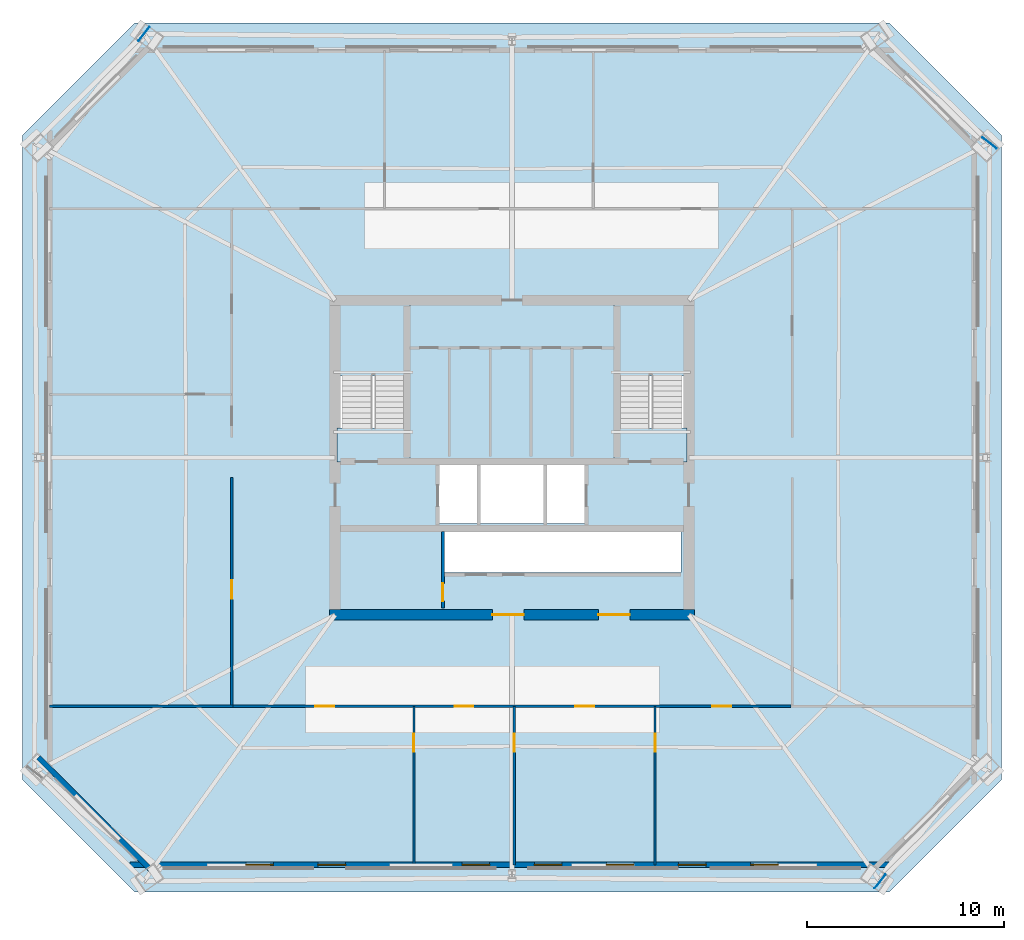
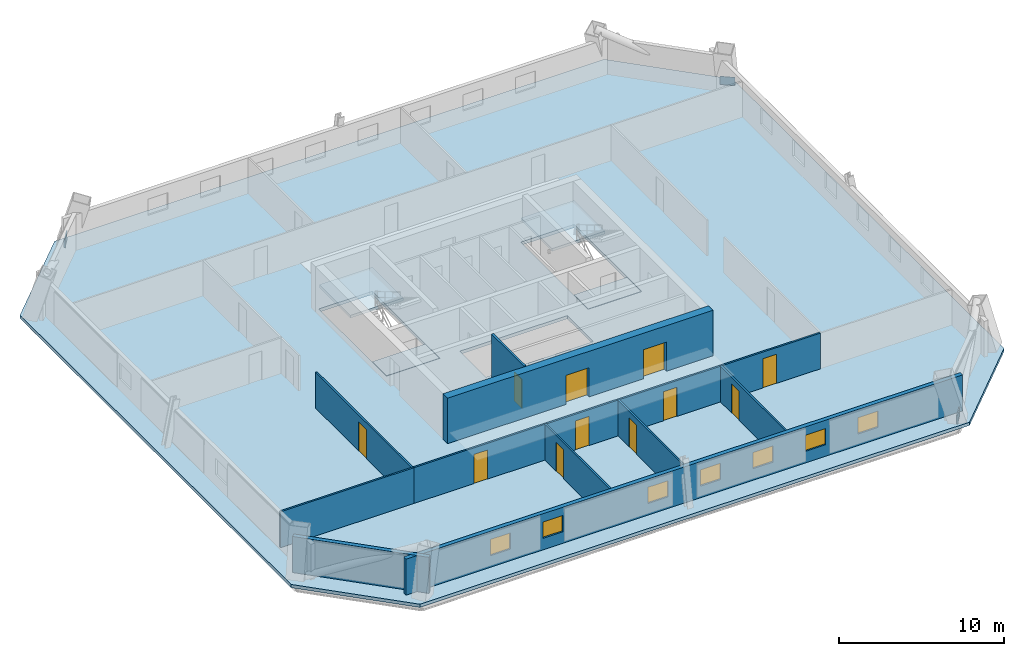
# One storey, part 2 of 7: 11 doors, 10 walls, 7 windows, 5 slabs, 3 plates, 18 openings, 2 elements without a shape of their own.
"""IFC4 building model written with IfcOpenShell, lengths in metres."""

import ifcopenshell
import ifcopenshell.guid

model = None  # the IFC model being written
_history = None  # IfcOwnerHistory: only IFC2X3 demands one
_inside = {}  # id of a spatial element -> (the spatial element, [elements in it])
_under = {}  # id of a project, library or spatial element -> (it, [spatial elements below it])
_declared = {}  # id of a project -> (the project, [libraries it declares])
_typed = {}  # id of a type object -> (the type object, [elements of that type])
_made_of = {}  # id of a material, layer set ... -> (it, [elements and type objects made of it])


def new_model(schema):
    """Start an empty IFC model of exactly this schema.

    Asked for "IFC4X3", IfcOpenShell would pick the latest addendum, in which some entities
    have other attributes; the version numbers below select the first issue.
    IFC2X3 requires an IfcOwnerHistory on every rooted entity: one is made here for all.
    """
    global model, _history
    if schema == "IFC4X3":
        model = ifcopenshell.file(schema_version=(4, 3, 0, 0))
    else:
        model = ifcopenshell.file(schema=schema)
    _inside.clear()
    _under.clear()
    _declared.clear()
    _typed.clear()
    _made_of.clear()
    _history = None
    if model.schema == "IFC2X3":
        org = make("IfcOrganization", Name="unknown")
        user = make(
            "IfcPersonAndOrganization",
            ThePerson=make("IfcPerson", FamilyName="unknown"),
            TheOrganization=org,
        )
        app = make(
            "IfcApplication",
            ApplicationDeveloper=org,
            Version="unknown",
            ApplicationFullName="unknown",
            ApplicationIdentifier="unknown",
        )
        _history = make(
            "IfcOwnerHistory",
            OwningUser=user,
            OwningApplication=app,
            ChangeAction="ADDED",
            CreationDate=0,
        )
    return model


def make(cls, **values):
    """One entity of the class cls with the attributes given. An attribute that is None is left unset."""
    return model.create_entity(
        cls, **{name: value for name, value in values.items() if value is not None}
    )


def rooted(cls, **values):
    """An entity with a GlobalId (a new one), such as an element, a storey or a relation."""
    return make(cls, GlobalId=ifcopenshell.guid.new(), OwnerHistory=_history, **values)


def si_unit(unit_type, name, prefix=None):
    """IfcSIUnit, for example si_unit("LENGTHUNIT", "METRE", prefix="MILLI")."""
    return make("IfcSIUnit", UnitType=unit_type, Prefix=prefix, Name=name)


def assignment(units):
    """IfcUnitAssignment: the units of a project."""
    return None if units is None else make("IfcUnitAssignment", Units=units)


def point(xyz):
    """IfcCartesianPoint."""
    return None if xyz is None else make("IfcCartesianPoint", Coordinates=xyz)


def direction(xyz):
    """IfcDirection."""
    return None if xyz is None else make("IfcDirection", DirectionRatios=xyz)


def frame(location, z_axis=None, x_axis=None):
    """IfcAxis2Placement3D, a coordinate frame: its origin and axes. An axis left out is left unset."""
    return make(
        "IfcAxis2Placement3D",
        Location=point(location),
        Axis=direction(z_axis),
        RefDirection=direction(x_axis),
    )


def frame_2d(location, x_axis=None):
    """IfcAxis2Placement2D, a coordinate frame in the plane: its origin and x axis."""
    return make(
        "IfcAxis2Placement2D", Location=point(location), RefDirection=direction(x_axis)
    )


def origin():
    """The frame at (0, 0, 0) with its axes left unset."""
    return frame((0.0, 0.0, 0.0))


def origin_2d():
    """The frame at (0, 0) in the plane with its x axis left unset."""
    return frame_2d((0.0, 0.0))


def place(relative_to, where):
    """IfcLocalPlacement: puts the frame where relative to a parent placement (None: the world)."""
    return make(
        "IfcLocalPlacement", PlacementRelTo=relative_to, RelativePlacement=where
    )


def context(
    kind, dimensions, precision=None, world=None, true_north=None, identifier=None
):
    """IfcGeometricRepresentationContext, for example the 3D "Model" context."""
    return make(
        "IfcGeometricRepresentationContext",
        ContextIdentifier=identifier,
        ContextType=kind,
        CoordinateSpaceDimension=dimensions,
        Precision=precision,
        WorldCoordinateSystem=world,
        TrueNorth=true_north,
    )


def subcontext(parent, identifier, kind, view, scale=None):
    """IfcGeometricRepresentationSubContext, for example "Body" below "Model"."""
    return make(
        "IfcGeometricRepresentationSubContext",
        ContextIdentifier=identifier,
        ContextType=kind,
        ParentContext=parent,
        TargetScale=scale,
        TargetView=view,
    )


def project(units=None, contexts=None):
    """IfcProject with its units and contexts."""
    return rooted(
        "IfcProject",
        Name="project",
        RepresentationContexts=contexts,
        UnitsInContext=assignment(units),
    )


def spatial(cls, under=None, at=None, **own):
    """A site, building, storey or space (cls), placed at a placement, below another one or the project."""
    s = rooted(cls, ObjectPlacement=at, **own)
    if under is not None:
        _under.setdefault(under.id(), (under, []))[1].append(s)
    return s


def polyline(points):
    """IfcPolyline through the points."""
    return make("IfcPolyline", Points=[point(p) for p in points])


def profile(cls, at=None, kind="AREA", **sizes):
    """A parametric profile (cls). Its sizes go by their IFC names, for example OverallWidth=200.0."""
    return make(cls, ProfileType=kind, Position=at, **sizes)


def rectangle(**sizes):
    """IfcRectangleProfileDef."""
    return profile("IfcRectangleProfileDef", **sizes)


def outline(outer, holes=None, kind="AREA"):
    """IfcArbitraryClosedProfileDef: a profile drawn as a closed curve; with holes, ...WithVoids."""
    if holes is None:
        return make("IfcArbitraryClosedProfileDef", ProfileType=kind, OuterCurve=outer)
    return make(
        "IfcArbitraryProfileDefWithVoids",
        ProfileType=kind,
        OuterCurve=outer,
        InnerCurves=holes,
    )


def extrude(swept, where, along, depth):
    """IfcExtrudedAreaSolid: the profile swept, set in the frame where, extruded along a direction by depth."""
    return make(
        "IfcExtrudedAreaSolid",
        SweptArea=swept,
        Position=where,
        ExtrudedDirection=direction(along),
        Depth=depth,
    )


def shape(context_of_items, identifier, shape_type, items):
    """IfcShapeRepresentation: the items that make up one representation, for example the "Body"."""
    return make(
        "IfcShapeRepresentation",
        ContextOfItems=context_of_items,
        RepresentationIdentifier=identifier,
        RepresentationType=shape_type,
        Items=items,
    )


def material(Name=None, Category=None):
    """IfcMaterial."""
    return make("IfcMaterial", Name=Name, Category=Category)


def layer(
    of_material, thickness, ventilated=None, Name=None, Category=None, Priority=None
):
    """IfcMaterialLayer: one layer of a wall or slab, of a material (None: an air gap)."""
    return make(
        "IfcMaterialLayer",
        Material=of_material,
        LayerThickness=thickness,
        IsVentilated=ventilated,
        Name=Name,
        Category=Category,
        Priority=Priority,
    )


def layer_set(layers, Name=None):
    """IfcMaterialLayerSet."""
    return make("IfcMaterialLayerSet", MaterialLayers=layers, LayerSetName=Name)


def made_of(thing, what):
    """Note that an element or type object is made of a material, layer set ...; save() writes the relation."""
    if what is not None:
        _made_of.setdefault(what.id(), (what, []))[1].append(thing)
    return thing


def type_object(cls, material=None, **own):
    """A type object (cls), such as IfcWallType, which elements share."""
    return made_of(rooted(cls, **own), material)


def element(
    cls,
    number,
    at=None,
    inside=None,
    cuts=None,
    type_object=None,
    material=None,
    context=None,
    identifier="Body",
    shape_type=None,
    held_by="IfcProductDefinitionShape",
    body=None,
    shapes=None,
    **own,
):
    """One element of the class cls, such as IfcWall. Its Tag is "e" and its number.

    at: its placement. inside: the storey or other place that contains it. cuts: it is an
    opening in that element (IfcRelVoidsElement). A single representation is given by context,
    identifier, shape_type and body (its items); several are given by shapes. held_by: the class
    of the entity that holds the representations. save() writes the other relations.
    """
    e = rooted(cls, Tag="e%d" % number, ObjectPlacement=at, **own)
    if body is not None:
        shapes = [shape(context, identifier, shape_type, body)]
    if shapes is not None:
        e.Representation = make(held_by, Representations=shapes)
    if inside is not None:
        _inside.setdefault(inside.id(), (inside, []))[1].append(e)
    if cuts is not None:
        rooted(
            "IfcRelVoidsElement", RelatingBuildingElement=cuts, RelatedOpeningElement=e
        )
    if type_object is not None:
        _typed.setdefault(type_object.id(), (type_object, []))[1].append(e)
    return made_of(e, material)


def fill(opening, filler):
    """IfcRelFillsElement: the door or window that sits in an opening."""
    return rooted(
        "IfcRelFillsElement",
        RelatingOpeningElement=opening,
        RelatedBuildingElement=filler,
    )


def aggregate(whole, parts):
    """IfcRelAggregates: a whole, such as a stair, and the parts it consists of."""
    return rooted("IfcRelAggregates", RelatingObject=whole, RelatedObjects=parts)


def save(model, path):
    """Write the relations noted so far, then the file.

    IfcRelAggregates (storeys below a building ...), IfcRelContainedInSpatialStructure (elements
    in a storey), IfcRelDefinesByType, IfcRelAssociatesMaterial and IfcRelDeclares: one each for
    every whole, place, type object, material and project.
    """
    for whole, parts in _under.values():
        aggregate(whole, parts)
    for where, things in _inside.values():
        rooted(
            "IfcRelContainedInSpatialStructure",
            RelatedElements=things,
            RelatingStructure=where,
        )
    for kind, things in _typed.values():
        rooted("IfcRelDefinesByType", RelatedObjects=things, RelatingType=kind)
    for what, things in _made_of.values():
        rooted("IfcRelAssociatesMaterial", RelatedObjects=things, RelatingMaterial=what)
    for by, libraries in _declared.values():
        rooted("IfcRelDeclares", RelatingContext=by, RelatedDefinitions=libraries)
    model.write(path)


model = new_model("IFC4")

# Units and contexts
model_context = context("Model", 3, precision=1e-05, world=origin(), true_north=direction((0.0, 1.0)))
body_context = subcontext(model_context, "Body", "Model", "MODEL_VIEW")
ifc_project = project(units=[si_unit("LENGTHUNIT", "METRE"), si_unit("AREAUNIT", "SQUARE_METRE"), si_unit("VOLUMEUNIT", "CUBIC_METRE"), si_unit("PLANEANGLEUNIT", "RADIAN"), si_unit("MASSUNIT", "GRAM", prefix="KILO")], contexts=[model_context])

# Site, building, storey
site_placement = place(None, origin())
site = spatial("IfcSite", under=ifc_project, at=site_placement, CompositionType="ELEMENT")
building_placement = place(site_placement, origin())
building = spatial("IfcBuilding", under=site, at=building_placement, Name="Caelvoria Tower", CompositionType="ELEMENT")
storey_placement = place(building_placement, frame((0.0, 0.0, 102.39990234375)))
storey = spatial("IfcBuildingStorey", under=building, at=storey_placement, Name="L26", CompositionType="ELEMENT", Elevation=102.39990234375)

# Plates
ifc_material_1 = material(Name="Structural Steel ASTM A572 Gr.50", Category="steel")
ifc_layer_1 = layer(ifc_material_1, 0.0400390625, Name="Structural Steel ASTM A572 Gr.50")
ifc_layer_set_1 = layer_set([ifc_layer_1], Name="Megaframe Node Gusset Plate 900x600x40 - Structural Steel ASTM A572 Gr.50")
plate_type = type_object("IfcPlateType", Name="Megaframe Node Gusset Plate 900x600x40", PredefinedType="USERDEFINED", material=ifc_layer_set_1)
for number, where, z_axis, x_axis, name in (
    (1, (64.727783203125, 10.443603515625, 0.02001953125), (0.0, 0.0, 1.0), (0.618507144164, 0.78577917548, 0.0), "Chamfer Mega Brace Gusset L26 SE"),
    (2, (70.298583984375, 48.00390625, 0.02001953125), (0.0, 0.0, 1.0), (-0.786535315704, 0.617545299675, 0.0), "Chamfer Mega Brace Gusset L26 NE"),
    (3, (27.272216796875, 53.556396484375, 0.02001953125), (0.0, 0.0, 1.0), (-0.618507144164, -0.78577917548, 0.0), "Chamfer Mega Brace Gusset L26 NW"),
):
    element("IfcPlate", number, at=place(storey_placement, frame(where, z_axis=z_axis, x_axis=x_axis)), inside=storey, type_object=plate_type, Name=name, ObjectType="GUSSET_PLATE", PredefinedType="USERDEFINED", context=body_context, shape_type="SweptSolid", body=[
        extrude(rectangle(XDim=0.89990234375, YDim=0.0400390625, at=origin_2d()), origin(), (0.0, 0.0, 1.0), 0.60009765625),
    ])

# Stair, slabs
ifc_material_2 = material(Name="Concrete C40/50", Category="concrete")
stair_type = type_object("IfcStairType", Name="Core Smokeproof Dogleg Stair Concrete C40/50", PredefinedType="HALF_TURN_STAIR", material=ifc_material_2)
stair_1_placement = place(storey_placement, origin())
stair_1 = element("IfcStair", 4, at=stair_1_placement, inside=storey, type_object=stair_type, Name="ST-01 Smokeproof Exit Stair L26", PredefinedType="HALF_TURN_STAIR")
ifc_layer_2 = layer(ifc_material_2, 0.199951171875, Name="Concrete C40/50")
ifc_layer_set_2 = layer_set([ifc_layer_2], Name="Stair Half and Floor Landing Slab 200 Concrete C40/50 - Concrete C40/50")
slab_type_1 = type_object("IfcSlabType", Name="Stair Half and Floor Landing Slab 200 Concrete C40/50", PredefinedType="LANDING", material=ifc_layer_set_2)
slab_1_placement = place(storey_placement, frame((0.0, 0.0, -0.199951171875)))
slab_1 = element("IfcSlab", 5, at=slab_1_placement, type_object=slab_type_1, Name="ST-01 landing 1", PredefinedType="LANDING", context=body_context, shape_type="SweptSolid", body=[
    extrude(outline(polyline([(37.10009765625, 31.77001953125), (40.800048828125, 31.77001953125), (40.800048828125, 33.5), (37.10009765625, 33.5), (37.10009765625, 31.77001953125)])), origin(), (0.0, 0.0, 1.0), 0.199951171875),
])
slab_2_placement = place(storey_placement, frame((0.0, 0.0, 1.60009765625)))
slab_2 = element("IfcSlab", 6, at=slab_2_placement, type_object=slab_type_1, Name="ST-01 landing 2", PredefinedType="LANDING", context=body_context, shape_type="SweptSolid", body=[
    extrude(outline(polyline([(37.10009765625, 36.14990234375), (40.800048828125, 36.14990234375), (40.800048828125, 39.89990234375), (37.10009765625, 39.89990234375), (37.10009765625, 36.14990234375)])), origin(), (0.0, 0.0, 1.0), 0.199951171875),
])
aggregate(stair_1, [slab_1, slab_2])

stair_2_placement = place(storey_placement, origin())
stair_2 = element("IfcStair", 7, at=stair_2_placement, inside=storey, type_object=stair_type, Name="ST-02 Smokeproof Exit Stair L26", PredefinedType="HALF_TURN_STAIR")
slab_3_placement = place(storey_placement, frame((0.0, 0.0, -0.199951171875)))
slab_3 = element("IfcSlab", 8, at=slab_3_placement, type_object=slab_type_1, Name="ST-02 landing 1", PredefinedType="LANDING", context=body_context, shape_type="SweptSolid", body=[
    extrude(outline(polyline([(51.199951171875, 31.77001953125), (54.89990234375, 31.77001953125), (54.89990234375, 33.5), (51.199951171875, 33.5), (51.199951171875, 31.77001953125)])), origin(), (0.0, 0.0, 1.0), 0.199951171875),
])
slab_4_placement = place(storey_placement, frame((0.0, 0.0, 1.60009765625)))
slab_4 = element("IfcSlab", 9, at=slab_4_placement, type_object=slab_type_1, Name="ST-02 landing 2", PredefinedType="LANDING", context=body_context, shape_type="SweptSolid", body=[
    extrude(outline(polyline([(51.199951171875, 36.14990234375), (54.89990234375, 36.14990234375), (54.89990234375, 39.89990234375), (51.199951171875, 39.89990234375), (51.199951171875, 36.14990234375)])), origin(), (0.0, 0.0, 1.0), 0.199951171875),
])
aggregate(stair_2, [slab_3, slab_4])

# Slab
ifc_layer_3 = layer(ifc_material_2, 0.239990234375, Name="Concrete C40/50")
ifc_layer_set_3 = layer_set([ifc_layer_3], Name="Tower Composite Office Slab 240 - Concrete C40/50")
slab_type_2 = type_object("IfcSlabType", Name="Tower Composite Office Slab 240", PredefinedType="FLOOR", material=ifc_layer_set_3)
slab_5_placement = place(storey_placement, frame((0.0, 0.0, -0.239990234375)))
element("IfcSlab", 10, at=slab_5_placement, inside=storey, type_object=slab_type_2, Name="Level L26 Structural Floor Slab", PredefinedType="FLOOR", context=body_context, shape_type="SweptSolid", body=[
    extrude(outline(polyline([(26.800048828125, 9.89990234375), (65.199951171875, 9.89990234375), (70.89990234375, 15.60009765625), (70.89990234375, 48.39990234375), (65.199951171875, 54.10009765625), (26.800048828125, 54.10009765625), (21.10009765625, 48.39990234375), (21.10009765625, 15.60009765625), (26.800048828125, 9.89990234375)]), holes=[polyline([(37.080078125, 31.75), (40.820068359375, 31.75), (40.820068359375, 39.919921875), (37.080078125, 39.919921875), (37.080078125, 31.75)]), polyline([(51.179931640625, 31.75), (54.919921875, 31.75), (54.919921875, 39.919921875), (51.179931640625, 39.919921875), (51.179931640625, 31.75)]), polyline([(42.25, 28.64990234375), (49.75, 28.64990234375), (49.75, 31.800048828125), (42.25, 31.800048828125), (42.25, 28.64990234375)]), polyline([(42.550048828125, 26.14990234375), (54.60009765625, 26.14990234375), (54.60009765625, 28.25), (42.550048828125, 28.25), (42.550048828125, 26.14990234375)])]), origin(), (0.0, 0.0, 1.0), 0.239990234375),
])

# Wall, opening, door
ifc_material_3 = material(Name="Double Gypsum Board on Steel Stud", Category="steel")
ifc_layer_4 = layer(ifc_material_3, 0.14990234375, Name="Double Gypsum Board on Steel Stud")
ifc_layer_set_4 = layer_set([ifc_layer_4], Name="Core Service Acoustic Partition Wall 150 - Double Gypsum Board on Steel Stud")
wall_type_1 = type_object("IfcWallType", Name="Core Service Acoustic Partition Wall 150", PredefinedType="PARTITIONING", material=ifc_layer_set_4)
wall_1_placement = place(storey_placement, frame((42.47998046875, 24.35009765625, 0.0), z_axis=(0.0, 0.0, 1.0), x_axis=(0.0, 1.0, 0.0)))
wall_1 = element("IfcWall", 11, at=wall_1_placement, inside=storey, type_object=wall_type_1, Name="Interior Partition IW-L26-RECL1E", PredefinedType="PARTITIONING", context=body_context, shape_type="SweptSolid", body=[
    extrude(rectangle(XDim=3.89990234375, YDim=0.14990234375, at=frame_2d((1.949951171875, 0.0))), origin(), (0.0, 0.0, 1.0), 3.360107421875),
])
opening_1_placement = place(wall_1_placement, frame((0.35009765625, 0.0, 0.0)))
opening_1 = element("IfcOpeningElement", 12, at=opening_1_placement, cuts=wall_1, Name="Opening ID-04", PredefinedType="OPENING", context=body_context, shape_type="SweptSolid", body=[
    extrude(rectangle(XDim=0.89990234375, YDim=2.14990234375, at=frame_2d((0.449951171875, 1.074951171875))), frame((0.0, 0.0849609375, 0.0), z_axis=(0.0, -1.0, 0.0), x_axis=(1.0, 0.0, 0.0)), (0.0, 0.0, 1.0), 0.169921875),
])
ifc_material_4 = material(Name="Acoustic Timber Fire Door", Category="wood")
door_type_1 = type_object("IfcDoorType", Name="Fire Door FD30S 900x2150", OperationType="NOTDEFINED", PredefinedType="DOOR", material=ifc_material_4)
door_1_placement = place(opening_1_placement, origin())
door_1 = element("IfcDoor", 13, at=door_1_placement, inside=storey, type_object=door_type_1, Name="Interior Door DR-L26-RECL1", OperationType="SINGLE_SWING_LEFT", OverallHeight=2.14990234375, OverallWidth=0.89990234375, PredefinedType="DOOR", context=body_context, shape_type="SweptSolid", body=[
    extrude(rectangle(XDim=0.89990234375, YDim=2.14990234375, at=frame_2d((0.449951171875, 1.074951171875))), frame((0.0, 0.02490234375, 0.0), z_axis=(0.0, -1.0, 0.0), x_axis=(1.0, 0.0, 0.0)), (0.0, 0.0, 1.0), 0.050048828125),
])
fill(opening_1, door_1)

# Wall, openings, windows
ifc_material_5 = material(Name="Precast Concrete C40/50 with Bronze Cladding", Category="concrete")
ifc_layer_5 = layer(ifc_material_5, 0.280029296875, Name="Precast Concrete C40/50 with Bronze Cladding")
ifc_layer_set_5 = layer_set([ifc_layer_5], Name="Exterior Precast Concrete C40/50 Bronze-Clad Facade Wall 280 - Precast Concrete C40/50 with Bronze Cladding")
wall_type_2 = type_object("IfcWallType", Name="Exterior Precast Concrete C40/50 Bronze-Clad Facade Wall 280", PredefinedType="STANDARD", material=ifc_layer_set_5)
wall_2_placement = place(storey_placement, frame((26.56005859375, 11.280029296875, 0.0), z_axis=(0.0, 0.0, 1.0), x_axis=(1.0, 0.0, 0.0)))
wall_2 = element("IfcWall", 14, at=wall_2_placement, inside=storey, type_object=wall_type_2, Name="Exterior Facade Wall L26-E0", PredefinedType="STANDARD", context=body_context, shape_type="SweptSolid", body=[
    extrude(rectangle(XDim=38.8798828125, YDim=0.280029296875, at=frame_2d((19.43994140625, 0.0))), origin(), (0.0, 0.0, 1.0), 2.662109375),
])
opening_2_placement = place(wall_2_placement, frame((5.902099609375, 0.0, 0.85009765625)))
opening_2 = element("IfcOpeningElement", 15, at=opening_2_placement, cuts=wall_2, Name="Opening WN-06", PredefinedType="OPENING", context=body_context, shape_type="SweptSolid", body=[
    extrude(rectangle(XDim=1.39990234375, YDim=1.199951171875, at=frame_2d((0.699951171875, 0.60009765625))), frame((0.0, 0.14990234375, 0.0), z_axis=(0.0, -1.0, 0.0), x_axis=(1.0, 0.0, 0.0)), (0.0, 0.0, 1.0), 0.300048828125),
])
opening_3_placement = place(wall_2_placement, frame((9.570068359375, 0.0, 0.85009765625)))
opening_3 = element("IfcOpeningElement", 16, at=opening_3_placement, cuts=wall_2, Name="Opening WN-06", PredefinedType="OPENING", context=body_context, shape_type="SweptSolid", body=[
    extrude(rectangle(XDim=1.39990234375, YDim=1.199951171875, at=frame_2d((0.699951171875, 0.60009765625))), frame((0.0, 0.14990234375, 0.0), z_axis=(0.0, -1.0, 0.0), x_axis=(1.0, 0.0, 0.0)), (0.0, 0.0, 1.0), 0.300048828125),
])
opening_4_placement = place(wall_2_placement, frame((16.906005859375, 0.0, 0.85009765625)))
opening_4 = element("IfcOpeningElement", 17, at=opening_4_placement, cuts=wall_2, Name="Opening WN-06", PredefinedType="OPENING", context=body_context, shape_type="SweptSolid", body=[
    extrude(rectangle(XDim=1.39990234375, YDim=1.199951171875, at=frame_2d((0.699951171875, 0.60009765625))), frame((0.0, 0.14990234375, 0.0), z_axis=(0.0, -1.0, 0.0), x_axis=(1.0, 0.0, 0.0)), (0.0, 0.0, 1.0), 0.300048828125),
])
opening_5_placement = place(wall_2_placement, frame((20.573974609375, 0.0, 0.85009765625)))
opening_5 = element("IfcOpeningElement", 18, at=opening_5_placement, cuts=wall_2, Name="Opening WN-06", PredefinedType="OPENING", context=body_context, shape_type="SweptSolid", body=[
    extrude(rectangle(XDim=1.39990234375, YDim=1.199951171875, at=frame_2d((0.699951171875, 0.60009765625))), frame((0.0, 0.14990234375, 0.0), z_axis=(0.0, -1.0, 0.0), x_axis=(1.0, 0.0, 0.0)), (0.0, 0.0, 1.0), 0.300048828125),
])
opening_6_placement = place(wall_2_placement, frame((24.241943359375, 0.0, 0.85009765625)))
opening_6 = element("IfcOpeningElement", 19, at=opening_6_placement, cuts=wall_2, Name="Opening WN-06", PredefinedType="OPENING", context=body_context, shape_type="SweptSolid", body=[
    extrude(rectangle(XDim=1.39990234375, YDim=1.199951171875, at=frame_2d((0.699951171875, 0.60009765625))), frame((0.0, 0.14990234375, 0.0), z_axis=(0.0, -1.0, 0.0), x_axis=(1.0, 0.0, 0.0)), (0.0, 0.0, 1.0), 0.300048828125),
])
opening_7_placement = place(wall_2_placement, frame((27.909912109375, 0.0, 0.85009765625)))
opening_7 = element("IfcOpeningElement", 20, at=opening_7_placement, cuts=wall_2, Name="Opening WN-06", PredefinedType="OPENING", context=body_context, shape_type="SweptSolid", body=[
    extrude(rectangle(XDim=1.39990234375, YDim=1.199951171875, at=frame_2d((0.699951171875, 0.60009765625))), frame((0.0, 0.14990234375, 0.0), z_axis=(0.0, -1.0, 0.0), x_axis=(1.0, 0.0, 0.0)), (0.0, 0.0, 1.0), 0.300048828125),
])
opening_8_placement = place(wall_2_placement, frame((31.577880859375, 0.0, 0.85009765625)))
opening_8 = element("IfcOpeningElement", 21, at=opening_8_placement, cuts=wall_2, Name="Opening WN-06", PredefinedType="OPENING", context=body_context, shape_type="SweptSolid", body=[
    extrude(rectangle(XDim=1.39990234375, YDim=1.199951171875, at=frame_2d((0.699951171875, 0.60009765625))), frame((0.0, 0.14990234375, 0.0), z_axis=(0.0, -1.0, 0.0), x_axis=(1.0, 0.0, 0.0)), (0.0, 0.0, 1.0), 0.300048828125),
])
ifc_material_6 = material(Name="Low-E Tinted Glass in Bronze Aluminium Frame", Category="aluminium")
window_type = type_object("IfcWindowType", Name="Podium Clerestory Window 1400x1200", PartitioningType="SINGLE_PANEL", PredefinedType="WINDOW", material=ifc_material_6)
window_1_placement = place(opening_2_placement, origin())
window_1 = element("IfcWindow", 22, at=window_1_placement, inside=storey, type_object=window_type, Name="Facade Window L26-E0-01", OverallHeight=1.199951171875, OverallWidth=1.39990234375, PartitioningType="SINGLE_PANEL", PredefinedType="WINDOW", context=body_context, shape_type="SweptSolid", body=[
    extrude(rectangle(XDim=1.39990234375, YDim=1.199951171875, at=frame_2d((0.699951171875, 0.60009765625))), frame((0.0, 0.030029296875, 0.0), z_axis=(0.0, -1.0, 0.0), x_axis=(1.0, 0.0, 0.0)), (0.0, 0.0, 1.0), 0.06005859375),
])
fill(opening_2, window_1)
window_2_placement = place(opening_3_placement, origin())
window_2 = element("IfcWindow", 23, at=window_2_placement, inside=storey, type_object=window_type, Name="Facade Window L26-E0-02", OverallHeight=1.199951171875, OverallWidth=1.39990234375, PartitioningType="SINGLE_PANEL", PredefinedType="WINDOW", context=body_context, shape_type="SweptSolid", body=[
    extrude(rectangle(XDim=1.39990234375, YDim=1.199951171875, at=frame_2d((0.699951171875, 0.60009765625))), frame((0.0, 0.030029296875, 0.0), z_axis=(0.0, -1.0, 0.0), x_axis=(1.0, 0.0, 0.0)), (0.0, 0.0, 1.0), 0.06005859375),
])
fill(opening_3, window_2)
window_3_placement = place(opening_4_placement, origin())
window_3 = element("IfcWindow", 24, at=window_3_placement, inside=storey, type_object=window_type, Name="Facade Window L26-E0-04", OverallHeight=1.199951171875, OverallWidth=1.39990234375, PartitioningType="SINGLE_PANEL", PredefinedType="WINDOW", context=body_context, shape_type="SweptSolid", body=[
    extrude(rectangle(XDim=1.39990234375, YDim=1.199951171875, at=frame_2d((0.699951171875, 0.60009765625))), frame((0.0, 0.030029296875, 0.0), z_axis=(0.0, -1.0, 0.0), x_axis=(1.0, 0.0, 0.0)), (0.0, 0.0, 1.0), 0.06005859375),
])
fill(opening_4, window_3)
window_4_placement = place(opening_5_placement, origin())
window_4 = element("IfcWindow", 25, at=window_4_placement, inside=storey, type_object=window_type, Name="Facade Window L26-E0-05", OverallHeight=1.199951171875, OverallWidth=1.39990234375, PartitioningType="SINGLE_PANEL", PredefinedType="WINDOW", context=body_context, shape_type="SweptSolid", body=[
    extrude(rectangle(XDim=1.39990234375, YDim=1.199951171875, at=frame_2d((0.699951171875, 0.60009765625))), frame((0.0, 0.030029296875, 0.0), z_axis=(0.0, -1.0, 0.0), x_axis=(1.0, 0.0, 0.0)), (0.0, 0.0, 1.0), 0.06005859375),
])
fill(opening_5, window_4)
window_5_placement = place(opening_6_placement, origin())
window_5 = element("IfcWindow", 26, at=window_5_placement, inside=storey, type_object=window_type, Name="Facade Window L26-E0-06", OverallHeight=1.199951171875, OverallWidth=1.39990234375, PartitioningType="SINGLE_PANEL", PredefinedType="WINDOW", context=body_context, shape_type="SweptSolid", body=[
    extrude(rectangle(XDim=1.39990234375, YDim=1.199951171875, at=frame_2d((0.699951171875, 0.60009765625))), frame((0.0, 0.030029296875, 0.0), z_axis=(0.0, -1.0, 0.0), x_axis=(1.0, 0.0, 0.0)), (0.0, 0.0, 1.0), 0.06005859375),
])
fill(opening_6, window_5)
window_6_placement = place(opening_7_placement, origin())
window_6 = element("IfcWindow", 27, at=window_6_placement, inside=storey, type_object=window_type, Name="Facade Window L26-E0-07", OverallHeight=1.199951171875, OverallWidth=1.39990234375, PartitioningType="SINGLE_PANEL", PredefinedType="WINDOW", context=body_context, shape_type="SweptSolid", body=[
    extrude(rectangle(XDim=1.39990234375, YDim=1.199951171875, at=frame_2d((0.699951171875, 0.60009765625))), frame((0.0, 0.030029296875, 0.0), z_axis=(0.0, -1.0, 0.0), x_axis=(1.0, 0.0, 0.0)), (0.0, 0.0, 1.0), 0.06005859375),
])
fill(opening_7, window_6)
window_7_placement = place(opening_8_placement, origin())
window_7 = element("IfcWindow", 28, at=window_7_placement, inside=storey, type_object=window_type, Name="Facade Window L26-E0-08", OverallHeight=1.199951171875, OverallWidth=1.39990234375, PartitioningType="SINGLE_PANEL", PredefinedType="WINDOW", context=body_context, shape_type="SweptSolid", body=[
    extrude(rectangle(XDim=1.39990234375, YDim=1.199951171875, at=frame_2d((0.699951171875, 0.60009765625))), frame((0.0, 0.030029296875, 0.0), z_axis=(0.0, -1.0, 0.0), x_axis=(1.0, 0.0, 0.0)), (0.0, 0.0, 1.0), 0.06005859375),
])
fill(opening_8, window_7)

# Wall
wall_3_placement = place(storey_placement, frame((21.906005859375, 16.74560546875, 0.0), z_axis=(0.0, 0.0, 1.0), x_axis=(0.707106781187, -0.707106781187, 0.0)))
element("IfcWall", 29, at=wall_3_placement, inside=storey, type_object=wall_type_2, Name="Exterior Facade Wall L26-E7", PredefinedType="STANDARD", context=body_context, shape_type="SweptSolid", body=[
    extrude(rectangle(XDim=8.541259765625, YDim=0.280029296875, at=frame_2d((4.2705078125, 0.0))), origin(), (0.0, 0.0, 1.0), 2.662109375),
])

# Wall, openings, doors
ifc_material_7 = material(Name="Concrete C55/67", Category="concrete")
ifc_layer_6 = layer(ifc_material_7, 0.550048828125, Name="Concrete C55/67")
ifc_layer_set_6 = layer_set([ifc_layer_6], Name="Mid Core Shear Wall 550 - Concrete C55/67")
wall_type_3 = type_object("IfcWallType", Name="Mid Core Shear Wall 550", PredefinedType="SHEAR", material=ifc_layer_set_6)
wall_4_placement = place(storey_placement, frame((36.72509765625, 24.0, 0.0), z_axis=(0.0, 0.0, 1.0), x_axis=(1.0, 0.0, 0.0)))
wall_4 = element("IfcWall", 30, at=wall_4_placement, inside=storey, type_object=wall_type_3, Name="Core Shear Wall L26 S", PredefinedType="SHEAR", context=body_context, shape_type="SweptSolid", body=[
    extrude(rectangle(XDim=18.5498046875, YDim=0.550048828125, at=frame_2d((9.27490234375, 0.0))), origin(), (0.0, 0.0, 1.0), 3.360107421875),
])
opening_9_placement = place(wall_4_placement, frame((8.27490234375, 0.0, 0.0)))
opening_9 = element("IfcOpeningElement", 31, at=opening_9_placement, cuts=wall_4, Name="Opening ID-08", PredefinedType="OPENING", context=body_context, shape_type="SweptSolid", body=[
    extrude(rectangle(XDim=1.60009765625, YDim=2.14990234375, at=frame_2d((0.800048828125, 1.074951171875))), frame((0.0, 0.284912109375, 0.0), z_axis=(0.0, -1.0, 0.0), x_axis=(1.0, 0.0, 0.0)), (0.0, 0.0, 1.0), 0.570068359375),
])
opening_10_placement = place(wall_4_placement, frame((13.675048828125, 0.0, 0.0)))
opening_10 = element("IfcOpeningElement", 32, at=opening_10_placement, cuts=wall_4, Name="Opening ID-08", PredefinedType="OPENING", context=body_context, shape_type="SweptSolid", body=[
    extrude(rectangle(XDim=1.60009765625, YDim=2.14990234375, at=frame_2d((0.800048828125, 1.074951171875))), frame((0.0, 0.284912109375, 0.0), z_axis=(0.0, -1.0, 0.0), x_axis=(1.0, 0.0, 0.0)), (0.0, 0.0, 1.0), 0.570068359375),
])
ifc_material_8 = material(Name="Bronze-Framed Fire-Rated Glazed Double Door", Category="aluminium")
door_type_2 = type_object("IfcDoorType", Name="Double Lobby Glazed Door 1600x2200", OperationType="NOTDEFINED", PredefinedType="DOOR", material=ifc_material_8)
door_2_placement = place(opening_9_placement, origin())
door_2 = element("IfcDoor", 33, at=door_2_placement, inside=storey, type_object=door_type_2, Name="Core Door DR-L26-LLOB-S1", OperationType="DOUBLE_DOOR_SINGLE_SWING", OverallHeight=2.14990234375, OverallWidth=1.60009765625, PredefinedType="DOOR", context=body_context, shape_type="SweptSolid", body=[
    extrude(rectangle(XDim=1.60009765625, YDim=2.14990234375, at=frame_2d((0.800048828125, 1.074951171875))), frame((0.0, 0.02490234375, 0.0), z_axis=(0.0, -1.0, 0.0), x_axis=(1.0, 0.0, 0.0)), (0.0, 0.0, 1.0), 0.050048828125),
])
fill(opening_9, door_2)
door_3_placement = place(opening_10_placement, origin())
door_3 = element("IfcDoor", 34, at=door_3_placement, inside=storey, type_object=door_type_2, Name="Core Door DR-L26-LLOB-S2", OperationType="DOUBLE_DOOR_SINGLE_SWING", OverallHeight=2.14990234375, OverallWidth=1.60009765625, PredefinedType="DOOR", context=body_context, shape_type="SweptSolid", body=[
    extrude(rectangle(XDim=1.60009765625, YDim=2.14990234375, at=frame_2d((0.800048828125, 1.074951171875))), frame((0.0, 0.02490234375, 0.0), z_axis=(0.0, -1.0, 0.0), x_axis=(1.0, 0.0, 0.0)), (0.0, 0.0, 1.0), 0.050048828125),
])
fill(opening_10, door_3)

# Wall, opening, door
ifc_material_9 = material(Name="Acoustic Gypsum Board on Light-Gauge Stud", Category="gypsum")
ifc_layer_7 = layer(ifc_material_9, 0.1201171875, Name="Acoustic Gypsum Board on Light-Gauge Stud")
ifc_layer_set_7 = layer_set([ifc_layer_7], Name="Tenant Suite Acoustic Partition Wall 120 - Acoustic Gypsum Board on Light-Gauge Stud")
wall_type_4 = type_object("IfcWallType", Name="Tenant Suite Acoustic Partition Wall 120", PredefinedType="PARTITIONING", material=ifc_layer_set_7)
wall_5_placement = place(storey_placement, frame((41.01220703125, 19.340087890625, 0.0), z_axis=(0.0, 0.0, 1.0), x_axis=(0.0, -1.0, 0.0)))
wall_5 = element("IfcWall", 35, at=wall_5_placement, inside=storey, type_object=wall_type_4, Name="Interior Partition IW-L26-SD-00-0", PredefinedType="PARTITIONING", context=body_context, shape_type="SweptSolid", body=[
    extrude(rectangle(XDim=8.06005859375, YDim=0.1201171875, at=frame_2d((4.030029296875, 0.0))), origin(), (0.0, 0.0, 1.0), 2.64013671875),
])
opening_11_placement = place(wall_5_placement, frame((1.39990234375, 0.0, 0.0)))
opening_11 = element("IfcOpeningElement", 36, at=opening_11_placement, cuts=wall_5, Name="Opening ID-06", PredefinedType="OPENING", context=body_context, shape_type="SweptSolid", body=[
    extrude(rectangle(XDim=0.89990234375, YDim=2.14990234375, at=frame_2d((0.449951171875, 1.074951171875))), frame((0.0, 0.070068359375, 0.0), z_axis=(0.0, -1.0, 0.0), x_axis=(1.0, 0.0, 0.0)), (0.0, 0.0, 1.0), 0.14013671875),
])
ifc_material_10 = material(Name="Engineered Andean Oak Veneer Door", Category="wood")
door_type_3 = type_object("IfcDoorType", Name="Interior Timber Door 900x2150", OperationType="NOTDEFINED", PredefinedType="DOOR", material=ifc_material_10)
door_4_placement = place(opening_11_placement, origin())
door_4 = element("IfcDoor", 37, at=door_4_placement, inside=storey, type_object=door_type_3, Name="Interior Door DR-L26-SM-00-0", OperationType="SINGLE_SWING_RIGHT", OverallHeight=2.14990234375, OverallWidth=0.89990234375, PredefinedType="DOOR", context=body_context, shape_type="SweptSolid", body=[
    extrude(rectangle(XDim=0.89990234375, YDim=2.14990234375, at=frame_2d((0.449951171875, 1.074951171875))), frame((0.0, 0.02490234375, 0.0), z_axis=(0.0, -1.0, 0.0), x_axis=(1.0, 0.0, 0.0)), (0.0, 0.0, 1.0), 0.050048828125),
])
fill(opening_11, door_4)

wall_6_placement = place(storey_placement, frame((46.117919921875, 19.340087890625, 0.0), z_axis=(0.0, 0.0, 1.0), x_axis=(0.0, -1.0, 0.0)))
wall_6 = element("IfcWall", 38, at=wall_6_placement, inside=storey, type_object=wall_type_4, Name="Interior Partition IW-L26-SD-01-0", PredefinedType="PARTITIONING", context=body_context, shape_type="SweptSolid", body=[
    extrude(rectangle(XDim=8.06005859375, YDim=0.1201171875, at=frame_2d((4.030029296875, 0.0))), origin(), (0.0, 0.0, 1.0), 2.64013671875),
])
opening_12_placement = place(wall_6_placement, frame((1.39990234375, 0.0, 0.0)))
opening_12 = element("IfcOpeningElement", 39, at=opening_12_placement, cuts=wall_6, Name="Opening ID-06", PredefinedType="OPENING", context=body_context, shape_type="SweptSolid", body=[
    extrude(rectangle(XDim=0.89990234375, YDim=2.14990234375, at=frame_2d((0.449951171875, 1.074951171875))), frame((0.0, 0.070068359375, 0.0), z_axis=(0.0, -1.0, 0.0), x_axis=(1.0, 0.0, 0.0)), (0.0, 0.0, 1.0), 0.14013671875),
])
door_5_placement = place(opening_12_placement, origin())
door_5 = element("IfcDoor", 40, at=door_5_placement, inside=storey, type_object=door_type_3, Name="Interior Door DR-L26-SM-01-0", OperationType="SINGLE_SWING_LEFT", OverallHeight=2.14990234375, OverallWidth=0.89990234375, PredefinedType="DOOR", context=body_context, shape_type="SweptSolid", body=[
    extrude(rectangle(XDim=0.89990234375, YDim=2.14990234375, at=frame_2d((0.449951171875, 1.074951171875))), frame((0.0, 0.02490234375, 0.0), z_axis=(0.0, -1.0, 0.0), x_axis=(1.0, 0.0, 0.0)), (0.0, 0.0, 1.0), 0.050048828125),
])
fill(opening_12, door_5)

wall_7_placement = place(storey_placement, frame((53.27734375, 19.340087890625, 0.0), z_axis=(0.0, 0.0, 1.0), x_axis=(0.0, -1.0, 0.0)))
wall_7 = element("IfcWall", 41, at=wall_7_placement, inside=storey, type_object=wall_type_4, Name="Interior Partition IW-L26-SD-02-0", PredefinedType="PARTITIONING", context=body_context, shape_type="SweptSolid", body=[
    extrude(rectangle(XDim=8.06005859375, YDim=0.1201171875, at=frame_2d((4.030029296875, 0.0))), origin(), (0.0, 0.0, 1.0), 2.64013671875),
])
opening_13_placement = place(wall_7_placement, frame((1.39990234375, 0.0, 0.0)))
opening_13 = element("IfcOpeningElement", 42, at=opening_13_placement, cuts=wall_7, Name="Opening ID-06", PredefinedType="OPENING", context=body_context, shape_type="SweptSolid", body=[
    extrude(rectangle(XDim=0.89990234375, YDim=2.14990234375, at=frame_2d((0.449951171875, 1.074951171875))), frame((0.0, 0.070068359375, 0.0), z_axis=(0.0, -1.0, 0.0), x_axis=(1.0, 0.0, 0.0)), (0.0, 0.0, 1.0), 0.14013671875),
])
door_6_placement = place(opening_13_placement, origin())
door_6 = element("IfcDoor", 43, at=door_6_placement, inside=storey, type_object=door_type_3, Name="Interior Door DR-L26-SM-02-0", OperationType="SINGLE_SWING_RIGHT", OverallHeight=2.14990234375, OverallWidth=0.89990234375, PredefinedType="DOOR", context=body_context, shape_type="SweptSolid", body=[
    extrude(rectangle(XDim=0.89990234375, YDim=2.14990234375, at=frame_2d((0.449951171875, 1.074951171875))), frame((0.0, 0.02490234375, 0.0), z_axis=(0.0, -1.0, 0.0), x_axis=(1.0, 0.0, 0.0)), (0.0, 0.0, 1.0), 0.050048828125),
])
fill(opening_13, door_6)

# Wall, openings, doors
wall_8_placement = place(storey_placement, frame((31.800048828125, 19.340087890625, 0.0), z_axis=(0.0, 0.0, 1.0), x_axis=(1.0, 0.0, 0.0)))
wall_8 = element("IfcWall", 44, at=wall_8_placement, inside=storey, type_object=wall_type_4, Name="Interior Partition IW-L26-SCW-0", PredefinedType="PARTITIONING", context=body_context, shape_type="SweptSolid", body=[
    extrude(rectangle(XDim=28.39990234375, YDim=0.1201171875, at=frame_2d((14.199951171875, 0.0))), origin(), (0.0, 0.0, 1.0), 2.64013671875),
])
opening_14_placement = place(wall_8_placement, frame((4.201171875, 0.0, 0.0)))
opening_14 = element("IfcOpeningElement", 45, at=opening_14_placement, cuts=wall_8, Name="Opening ID-05", PredefinedType="OPENING", context=body_context, shape_type="SweptSolid", body=[
    extrude(rectangle(XDim=0.949951171875, YDim=2.14990234375, at=frame_2d((0.47509765625, 1.074951171875))), frame((0.0, 0.070068359375, 0.0), z_axis=(0.0, -1.0, 0.0), x_axis=(1.0, 0.0, 0.0)), (0.0, 0.0, 1.0), 0.14013671875),
])
opening_15_placement = place(wall_8_placement, frame((11.289794921875, 0.0, 0.0)))
opening_15 = element("IfcOpeningElement", 46, at=opening_15_placement, cuts=wall_8, Name="Opening ID-05", PredefinedType="OPENING", context=body_context, shape_type="SweptSolid", body=[
    extrude(rectangle(XDim=0.949951171875, YDim=2.14990234375, at=frame_2d((0.47509765625, 1.074951171875))), frame((0.0, 0.070068359375, 0.0), z_axis=(0.0, -1.0, 0.0), x_axis=(1.0, 0.0, 0.0)), (0.0, 0.0, 1.0), 0.14013671875),
])
opening_16_placement = place(wall_8_placement, frame((17.422607421875, 0.0, 0.0)))
opening_16 = element("IfcOpeningElement", 47, at=opening_16_placement, cuts=wall_8, Name="Opening ID-05", PredefinedType="OPENING", context=body_context, shape_type="SweptSolid", body=[
    extrude(rectangle(XDim=0.949951171875, YDim=2.14990234375, at=frame_2d((0.47509765625, 1.074951171875))), frame((0.0, 0.070068359375, 0.0), z_axis=(0.0, -1.0, 0.0), x_axis=(1.0, 0.0, 0.0)), (0.0, 0.0, 1.0), 0.14013671875),
])
opening_17_placement = place(wall_8_placement, frame((24.393798828125, 0.0, 0.0)))
opening_17 = element("IfcOpeningElement", 48, at=opening_17_placement, cuts=wall_8, Name="Opening ID-05", PredefinedType="OPENING", context=body_context, shape_type="SweptSolid", body=[
    extrude(rectangle(XDim=0.949951171875, YDim=2.14990234375, at=frame_2d((0.47509765625, 1.074951171875))), frame((0.0, 0.070068359375, 0.0), z_axis=(0.0, -1.0, 0.0), x_axis=(1.0, 0.0, 0.0)), (0.0, 0.0, 1.0), 0.14013671875),
])
door_type_4 = type_object("IfcDoorType", Name="Interior Timber Door 950x2150", OperationType="NOTDEFINED", PredefinedType="DOOR", material=ifc_material_10)
door_7_placement = place(opening_14_placement, origin())
door_7 = element("IfcDoor", 49, at=door_7_placement, inside=storey, type_object=door_type_4, Name="Interior Door DR-L26-SC-00-0", OperationType="SINGLE_SWING_LEFT", OverallHeight=2.14990234375, OverallWidth=0.949951171875, PredefinedType="DOOR", context=body_context, shape_type="SweptSolid", body=[
    extrude(rectangle(XDim=0.949951171875, YDim=2.14990234375, at=frame_2d((0.47509765625, 1.074951171875))), frame((0.0, 0.02490234375, 0.0), z_axis=(0.0, -1.0, 0.0), x_axis=(1.0, 0.0, 0.0)), (0.0, 0.0, 1.0), 0.050048828125),
])
fill(opening_14, door_7)
door_8_placement = place(opening_15_placement, origin())
door_8 = element("IfcDoor", 50, at=door_8_placement, inside=storey, type_object=door_type_4, Name="Interior Door DR-L26-SC-01-0", OperationType="SINGLE_SWING_RIGHT", OverallHeight=2.14990234375, OverallWidth=0.949951171875, PredefinedType="DOOR", context=body_context, shape_type="SweptSolid", body=[
    extrude(rectangle(XDim=0.949951171875, YDim=2.14990234375, at=frame_2d((0.47509765625, 1.074951171875))), frame((0.0, 0.02490234375, 0.0), z_axis=(0.0, -1.0, 0.0), x_axis=(1.0, 0.0, 0.0)), (0.0, 0.0, 1.0), 0.050048828125),
])
fill(opening_15, door_8)
door_9_placement = place(opening_16_placement, origin())
door_9 = element("IfcDoor", 51, at=door_9_placement, inside=storey, type_object=door_type_4, Name="Interior Door DR-L26-SC-02-0", OperationType="SINGLE_SWING_LEFT", OverallHeight=2.14990234375, OverallWidth=0.949951171875, PredefinedType="DOOR", context=body_context, shape_type="SweptSolid", body=[
    extrude(rectangle(XDim=0.949951171875, YDim=2.14990234375, at=frame_2d((0.47509765625, 1.074951171875))), frame((0.0, 0.02490234375, 0.0), z_axis=(0.0, -1.0, 0.0), x_axis=(1.0, 0.0, 0.0)), (0.0, 0.0, 1.0), 0.050048828125),
])
fill(opening_16, door_9)
door_10_placement = place(opening_17_placement, origin())
door_10 = element("IfcDoor", 52, at=door_10_placement, inside=storey, type_object=door_type_4, Name="Interior Door DR-L26-SC-03-0", OperationType="SINGLE_SWING_RIGHT", OverallHeight=2.14990234375, OverallWidth=0.949951171875, PredefinedType="DOOR", context=body_context, shape_type="SweptSolid", body=[
    extrude(rectangle(XDim=0.949951171875, YDim=2.14990234375, at=frame_2d((0.47509765625, 1.074951171875))), frame((0.0, 0.02490234375, 0.0), z_axis=(0.0, -1.0, 0.0), x_axis=(1.0, 0.0, 0.0)), (0.0, 0.0, 1.0), 0.050048828125),
])
fill(opening_17, door_10)

# Wall, opening, door
wall_9_placement = place(storey_placement, frame((31.739990234375, 19.39990234375, 0.0), z_axis=(0.0, 0.0, 1.0), x_axis=(0.0, 1.0, 0.0)))
wall_9 = element("IfcWall", 53, at=wall_9_placement, inside=storey, type_object=wall_type_4, Name="Interior Partition IW-L26-WCW-0", PredefinedType="PARTITIONING", context=body_context, shape_type="SweptSolid", body=[
    extrude(rectangle(XDim=11.580078125, YDim=0.1201171875, at=frame_2d((5.7900390625, 0.0))), origin(), (0.0, 0.0, 1.0), 2.64013671875),
])
opening_18_placement = place(wall_9_placement, frame((5.4150390625, 0.0, 0.0)))
opening_18 = element("IfcOpeningElement", 54, at=opening_18_placement, cuts=wall_9, Name="Opening ID-05", PredefinedType="OPENING", context=body_context, shape_type="SweptSolid", body=[
    extrude(rectangle(XDim=0.949951171875, YDim=2.14990234375, at=frame_2d((0.47509765625, 1.074951171875))), frame((0.0, 0.070068359375, 0.0), z_axis=(0.0, -1.0, 0.0), x_axis=(1.0, 0.0, 0.0)), (0.0, 0.0, 1.0), 0.14013671875),
])
door_11_placement = place(opening_18_placement, origin())
door_11 = element("IfcDoor", 55, at=door_11_placement, inside=storey, type_object=door_type_4, Name="Interior Door DR-L26-WC-00-1", OperationType="SINGLE_SWING_RIGHT", OverallHeight=2.14990234375, OverallWidth=0.949951171875, PredefinedType="DOOR", context=body_context, shape_type="SweptSolid", body=[
    extrude(rectangle(XDim=0.949951171875, YDim=2.14990234375, at=frame_2d((0.47509765625, 1.074951171875))), frame((0.0, 0.02490234375, 0.0), z_axis=(0.0, -1.0, 0.0), x_axis=(1.0, 0.0, 0.0)), (0.0, 0.0, 1.0), 0.050048828125),
])
fill(opening_18, door_11)

# Wall
wall_10_placement = place(storey_placement, frame((31.800048828125, 19.340087890625, 0.0), z_axis=(0.0, 0.0, 1.0), x_axis=(-1.0, 0.0, 0.0)))
element("IfcWall", 56, at=wall_10_placement, inside=storey, type_object=wall_type_4, Name="Interior Partition IW-L26-BSW-0", PredefinedType="PARTITIONING", context=body_context, shape_type="SweptSolid", body=[
    extrude(rectangle(XDim=9.320068359375, YDim=0.1201171875, at=frame_2d((4.66015625, 0.0))), origin(), (0.0, 0.0, 1.0), 2.64013671875),
])

save(model, "model.ifc")
